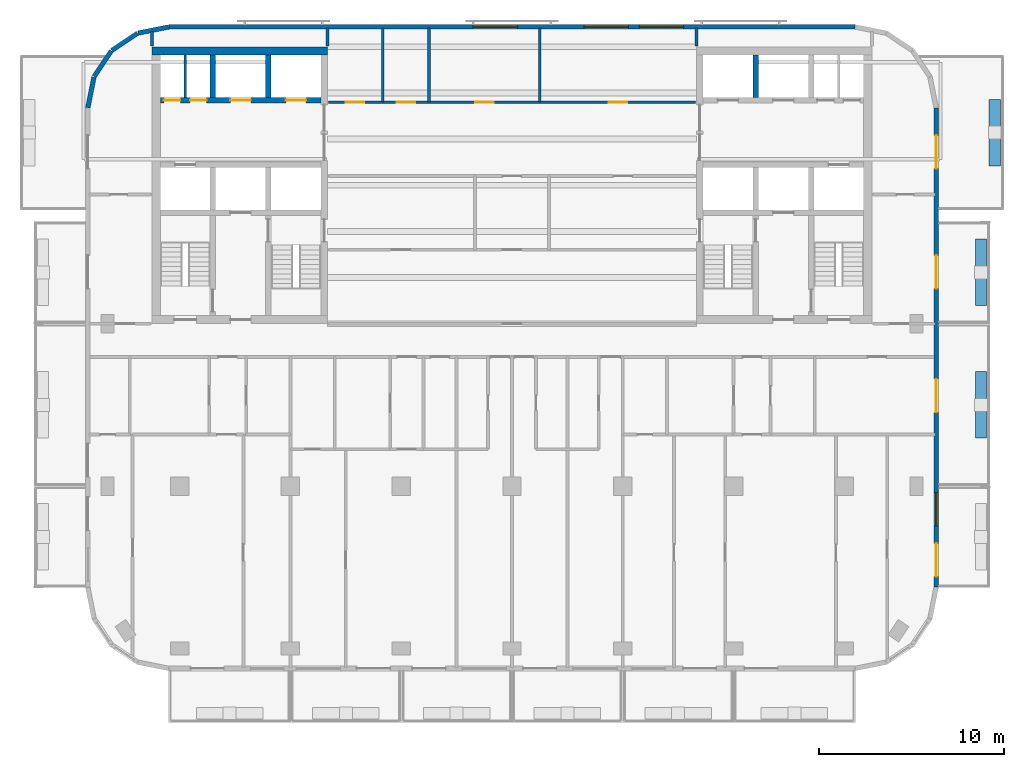
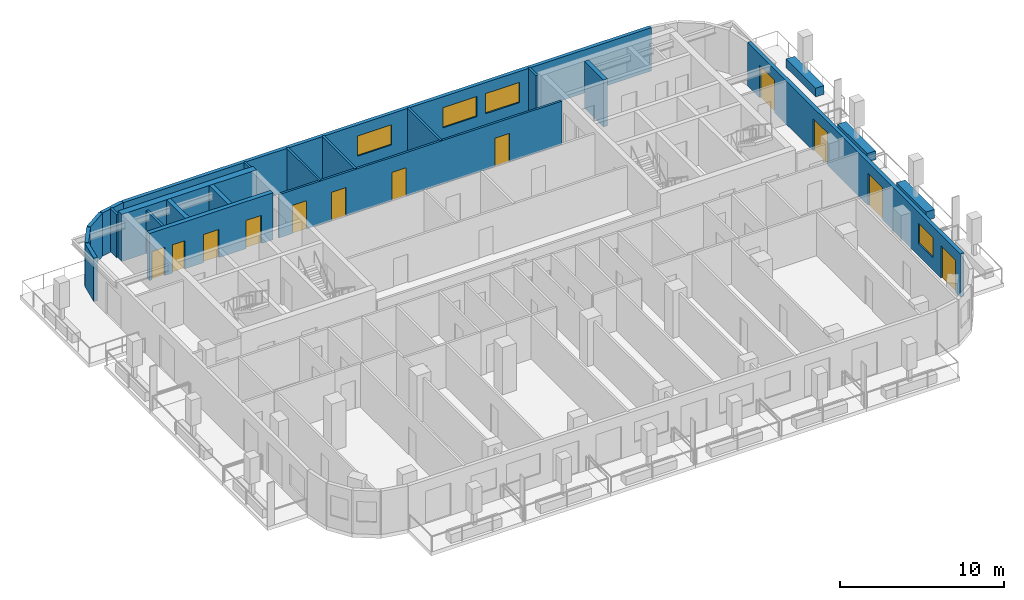
# One storey, part 6 of 11: 22 walls, 12 doors, 4 windows, 16 openings.
"""IFC4 building model written with IfcOpenShell, lengths in metres."""

import ifcopenshell
import ifcopenshell.guid

model = None  # the IFC model being written
_history = None  # IfcOwnerHistory: only IFC2X3 demands one
_inside = {}  # id of a spatial element -> (the spatial element, [elements in it])
_under = {}  # id of a project, library or spatial element -> (it, [spatial elements below it])
_declared = {}  # id of a project -> (the project, [libraries it declares])
_typed = {}  # id of a type object -> (the type object, [elements of that type])
_made_of = {}  # id of a material, layer set ... -> (it, [elements and type objects made of it])


def new_model(schema):
    """Start an empty IFC model of exactly this schema.

    Asked for "IFC4X3", IfcOpenShell would pick the latest addendum, in which some entities
    have other attributes; the version numbers below select the first issue.
    IFC2X3 requires an IfcOwnerHistory on every rooted entity: one is made here for all.
    """
    global model, _history
    if schema == "IFC4X3":
        model = ifcopenshell.file(schema_version=(4, 3, 0, 0))
    else:
        model = ifcopenshell.file(schema=schema)
    _inside.clear()
    _under.clear()
    _declared.clear()
    _typed.clear()
    _made_of.clear()
    _history = None
    if model.schema == "IFC2X3":
        org = make("IfcOrganization", Name="unknown")
        user = make(
            "IfcPersonAndOrganization",
            ThePerson=make("IfcPerson", FamilyName="unknown"),
            TheOrganization=org,
        )
        app = make(
            "IfcApplication",
            ApplicationDeveloper=org,
            Version="unknown",
            ApplicationFullName="unknown",
            ApplicationIdentifier="unknown",
        )
        _history = make(
            "IfcOwnerHistory",
            OwningUser=user,
            OwningApplication=app,
            ChangeAction="ADDED",
            CreationDate=0,
        )
    return model


def make(cls, **values):
    """One entity of the class cls with the attributes given. An attribute that is None is left unset."""
    return model.create_entity(
        cls, **{name: value for name, value in values.items() if value is not None}
    )


def rooted(cls, **values):
    """An entity with a GlobalId (a new one), such as an element, a storey or a relation."""
    return make(cls, GlobalId=ifcopenshell.guid.new(), OwnerHistory=_history, **values)


def si_unit(unit_type, name, prefix=None):
    """IfcSIUnit, for example si_unit("LENGTHUNIT", "METRE", prefix="MILLI")."""
    return make("IfcSIUnit", UnitType=unit_type, Prefix=prefix, Name=name)


def assignment(units):
    """IfcUnitAssignment: the units of a project."""
    return None if units is None else make("IfcUnitAssignment", Units=units)


def point(xyz):
    """IfcCartesianPoint."""
    return None if xyz is None else make("IfcCartesianPoint", Coordinates=xyz)


def direction(xyz):
    """IfcDirection."""
    return None if xyz is None else make("IfcDirection", DirectionRatios=xyz)


def frame(location, z_axis=None, x_axis=None):
    """IfcAxis2Placement3D, a coordinate frame: its origin and axes. An axis left out is left unset."""
    return make(
        "IfcAxis2Placement3D",
        Location=point(location),
        Axis=direction(z_axis),
        RefDirection=direction(x_axis),
    )


def frame_2d(location, x_axis=None):
    """IfcAxis2Placement2D, a coordinate frame in the plane: its origin and x axis."""
    return make(
        "IfcAxis2Placement2D", Location=point(location), RefDirection=direction(x_axis)
    )


def origin():
    """The frame at (0, 0, 0) with its axes left unset."""
    return frame((0.0, 0.0, 0.0))


def place(relative_to, where):
    """IfcLocalPlacement: puts the frame where relative to a parent placement (None: the world)."""
    return make(
        "IfcLocalPlacement", PlacementRelTo=relative_to, RelativePlacement=where
    )


def context(
    kind, dimensions, precision=None, world=None, true_north=None, identifier=None
):
    """IfcGeometricRepresentationContext, for example the 3D "Model" context."""
    return make(
        "IfcGeometricRepresentationContext",
        ContextIdentifier=identifier,
        ContextType=kind,
        CoordinateSpaceDimension=dimensions,
        Precision=precision,
        WorldCoordinateSystem=world,
        TrueNorth=true_north,
    )


def subcontext(parent, identifier, kind, view, scale=None):
    """IfcGeometricRepresentationSubContext, for example "Body" below "Model"."""
    return make(
        "IfcGeometricRepresentationSubContext",
        ContextIdentifier=identifier,
        ContextType=kind,
        ParentContext=parent,
        TargetScale=scale,
        TargetView=view,
    )


def project(units=None, contexts=None):
    """IfcProject with its units and contexts."""
    return rooted(
        "IfcProject",
        Name="project",
        RepresentationContexts=contexts,
        UnitsInContext=assignment(units),
    )


def spatial(cls, under=None, at=None, **own):
    """A site, building, storey or space (cls), placed at a placement, below another one or the project."""
    s = rooted(cls, ObjectPlacement=at, **own)
    if under is not None:
        _under.setdefault(under.id(), (under, []))[1].append(s)
    return s


def profile(cls, at=None, kind="AREA", **sizes):
    """A parametric profile (cls). Its sizes go by their IFC names, for example OverallWidth=200.0."""
    return make(cls, ProfileType=kind, Position=at, **sizes)


def rectangle(**sizes):
    """IfcRectangleProfileDef."""
    return profile("IfcRectangleProfileDef", **sizes)


def extrude(swept, where, along, depth):
    """IfcExtrudedAreaSolid: the profile swept, set in the frame where, extruded along a direction by depth."""
    return make(
        "IfcExtrudedAreaSolid",
        SweptArea=swept,
        Position=where,
        ExtrudedDirection=direction(along),
        Depth=depth,
    )


def shape(context_of_items, identifier, shape_type, items):
    """IfcShapeRepresentation: the items that make up one representation, for example the "Body"."""
    return make(
        "IfcShapeRepresentation",
        ContextOfItems=context_of_items,
        RepresentationIdentifier=identifier,
        RepresentationType=shape_type,
        Items=items,
    )


def material(Name=None, Category=None):
    """IfcMaterial."""
    return make("IfcMaterial", Name=Name, Category=Category)


def layer(
    of_material, thickness, ventilated=None, Name=None, Category=None, Priority=None
):
    """IfcMaterialLayer: one layer of a wall or slab, of a material (None: an air gap)."""
    return make(
        "IfcMaterialLayer",
        Material=of_material,
        LayerThickness=thickness,
        IsVentilated=ventilated,
        Name=Name,
        Category=Category,
        Priority=Priority,
    )


def layer_set(layers, Name=None):
    """IfcMaterialLayerSet."""
    return make("IfcMaterialLayerSet", MaterialLayers=layers, LayerSetName=Name)


def made_of(thing, what):
    """Note that an element or type object is made of a material, layer set ...; save() writes the relation."""
    if what is not None:
        _made_of.setdefault(what.id(), (what, []))[1].append(thing)
    return thing


def type_object(cls, material=None, **own):
    """A type object (cls), such as IfcWallType, which elements share."""
    return made_of(rooted(cls, **own), material)


def element(
    cls,
    number,
    at=None,
    inside=None,
    cuts=None,
    type_object=None,
    material=None,
    context=None,
    identifier="Body",
    shape_type=None,
    held_by="IfcProductDefinitionShape",
    body=None,
    shapes=None,
    **own,
):
    """One element of the class cls, such as IfcWall. Its Tag is "e" and its number.

    at: its placement. inside: the storey or other place that contains it. cuts: it is an
    opening in that element (IfcRelVoidsElement). A single representation is given by context,
    identifier, shape_type and body (its items); several are given by shapes. held_by: the class
    of the entity that holds the representations. save() writes the other relations.
    """
    e = rooted(cls, Tag="e%d" % number, ObjectPlacement=at, **own)
    if body is not None:
        shapes = [shape(context, identifier, shape_type, body)]
    if shapes is not None:
        e.Representation = make(held_by, Representations=shapes)
    if inside is not None:
        _inside.setdefault(inside.id(), (inside, []))[1].append(e)
    if cuts is not None:
        rooted(
            "IfcRelVoidsElement", RelatingBuildingElement=cuts, RelatedOpeningElement=e
        )
    if type_object is not None:
        _typed.setdefault(type_object.id(), (type_object, []))[1].append(e)
    return made_of(e, material)


def fill(opening, filler):
    """IfcRelFillsElement: the door or window that sits in an opening."""
    return rooted(
        "IfcRelFillsElement",
        RelatingOpeningElement=opening,
        RelatedBuildingElement=filler,
    )


def aggregate(whole, parts):
    """IfcRelAggregates: a whole, such as a stair, and the parts it consists of."""
    return rooted("IfcRelAggregates", RelatingObject=whole, RelatedObjects=parts)


def save(model, path):
    """Write the relations noted so far, then the file.

    IfcRelAggregates (storeys below a building ...), IfcRelContainedInSpatialStructure (elements
    in a storey), IfcRelDefinesByType, IfcRelAssociatesMaterial and IfcRelDeclares: one each for
    every whole, place, type object, material and project.
    """
    for whole, parts in _under.values():
        aggregate(whole, parts)
    for where, things in _inside.values():
        rooted(
            "IfcRelContainedInSpatialStructure",
            RelatedElements=things,
            RelatingStructure=where,
        )
    for kind, things in _typed.values():
        rooted("IfcRelDefinesByType", RelatedObjects=things, RelatingType=kind)
    for what, things in _made_of.values():
        rooted("IfcRelAssociatesMaterial", RelatedObjects=things, RelatingMaterial=what)
    for by, libraries in _declared.values():
        rooted("IfcRelDeclares", RelatingContext=by, RelatedDefinitions=libraries)
    model.write(path)


model = new_model("IFC4")

# Units and contexts
model_context = context("Model", 3, precision=1e-05, world=origin(), true_north=direction((0.0, 1.0)))
body_context = subcontext(model_context, "Body", "Model", "MODEL_VIEW")
ifc_project = project(units=[si_unit("LENGTHUNIT", "METRE"), si_unit("AREAUNIT", "SQUARE_METRE"), si_unit("VOLUMEUNIT", "CUBIC_METRE"), si_unit("PLANEANGLEUNIT", "RADIAN"), si_unit("MASSUNIT", "GRAM", prefix="KILO")], contexts=[model_context])

# Site, building, storey
site_placement = place(None, origin())
site = spatial("IfcSite", under=ifc_project, at=site_placement, CompositionType="ELEMENT")
building_placement = place(site_placement, origin())
building = spatial("IfcBuilding", under=site, at=building_placement, Name="Torana Hotel and Residences", CompositionType="ELEMENT")
storey_placement = place(building_placement, frame((0.0, 0.0, 291.10009765625)))
storey = spatial("IfcBuildingStorey", under=building, at=storey_placement, Name="L77", CompositionType="ELEMENT", Elevation=291.10009765625)

# Wall, openings, doors
ifc_material_1 = material(Name="Concrete C60/75", Category="concrete")
ifc_layer_1 = layer(ifc_material_1, 0.300048828125)
ifc_layer_set_1 = layer_set([ifc_layer_1], Name="CORE WALL 300 C60/75")
wall_type_1 = type_object("IfcWallType", Name="CORE WALL 300 C60/75", PredefinedType="SHEAR", material=ifc_layer_set_1)
wall_1_placement = place(storey_placement, frame((-19.050048828125, -2.89990234375, 0.0), z_axis=(0.0, 0.0, 1.0), x_axis=(1.0, 0.0, 0.0)))
wall_1 = element("IfcWall", 1, at=wall_1_placement, inside=storey, type_object=wall_type_1, Name="Core wall W row-N", PredefinedType="SHEAR", context=body_context, shape_type="SweptSolid", body=[
    extrude(rectangle(XDim=8.699951171875, YDim=0.300048828125, at=frame_2d((4.35009765625, 0.0))), origin(), (0.0, 0.0, 1.0), 3.5),
])
opening_1_placement = place(wall_1_placement, frame((6.800048828125, 0.0, 0.0)))
opening_1 = element("IfcOpeningElement", 2, at=opening_1_placement, cuts=wall_1, Name="Opening LD", PredefinedType="OPENING", context=body_context, shape_type="SweptSolid", body=[
    extrude(rectangle(XDim=1.10009765625, YDim=2.10009765625, at=frame_2d((0.550048828125, 1.050048828125))), frame((0.0, 0.159912109375, 0.0), z_axis=(0.0, -1.0, 0.0), x_axis=(1.0, 0.0, 0.0)), (0.0, 0.0, 1.0), 0.320068359375),
])
opening_2_placement = place(wall_1_placement, frame((3.800048828125, 0.0, 0.0)))
opening_2 = element("IfcOpeningElement", 3, at=opening_2_placement, cuts=wall_1, Name="Opening LD", PredefinedType="OPENING", context=body_context, shape_type="SweptSolid", body=[
    extrude(rectangle(XDim=1.10009765625, YDim=2.10009765625, at=frame_2d((0.550048828125, 1.050048828125))), frame((0.0, 0.159912109375, 0.0), z_axis=(0.0, -1.0, 0.0), x_axis=(1.0, 0.0, 0.0)), (0.0, 0.0, 1.0), 0.320068359375),
])
opening_3_placement = place(wall_1_placement, frame((1.612548828125, 0.0, 0.0)))
opening_3 = element("IfcOpeningElement", 4, at=opening_3_placement, cuts=wall_1, Name="Opening L77-06", PredefinedType="OPENING", context=body_context, shape_type="SweptSolid", body=[
    extrude(rectangle(XDim=0.89990234375, YDim=2.10009765625, at=frame_2d((0.449951171875, 1.050048828125))), frame((0.0, 0.159912109375, 0.0), z_axis=(0.0, -1.0, 0.0), x_axis=(1.0, 0.0, 0.0)), (0.0, 0.0, 1.0), 0.320068359375),
])
opening_4_placement = place(wall_1_placement, frame((0.1875, 0.0, 0.0)))
opening_4 = element("IfcOpeningElement", 5, at=opening_4_placement, cuts=wall_1, Name="Opening L77-07", PredefinedType="OPENING", context=body_context, shape_type="SweptSolid", body=[
    extrude(rectangle(XDim=0.89990234375, YDim=2.10009765625, at=frame_2d((0.449951171875, 1.050048828125))), frame((0.0, 0.159912109375, 0.0), z_axis=(0.0, -1.0, 0.0), x_axis=(1.0, 0.0, 0.0)), (0.0, 0.0, 1.0), 0.320068359375),
])
ifc_material_2 = material(Name="Stainless steel 316", Category="steel")
door_type_1 = type_object("IfcDoorType", Name="LIFT LANDING DOOR LD 1100x2100", OperationType="DOUBLE_DOOR_SLIDING", PredefinedType="USERDEFINED", material=ifc_material_2)
door_1_placement = place(opening_1_placement, origin())
door_1 = element("IfcDoor", 6, at=door_1_placement, inside=storey, type_object=door_type_1, Name="Lift landing door H1 L77", ObjectType="LIFT LANDING DOOR", OperationType="DOUBLE_DOOR_SLIDING", OverallHeight=2.10009765625, OverallWidth=1.10009765625, PredefinedType="USERDEFINED", context=body_context, shape_type="SweptSolid", body=[
    extrude(rectangle(XDim=1.10009765625, YDim=2.10009765625, at=frame_2d((0.550048828125, 1.050048828125))), frame((0.0, 0.02490234375, 0.0), z_axis=(0.0, -1.0, 0.0), x_axis=(1.0, 0.0, 0.0)), (0.0, 0.0, 1.0), 0.050048828125),
])
fill(opening_1, door_1)
door_2_placement = place(opening_2_placement, origin())
door_2 = element("IfcDoor", 7, at=door_2_placement, inside=storey, type_object=door_type_1, Name="Lift landing door H2 L77", ObjectType="LIFT LANDING DOOR", OperationType="DOUBLE_DOOR_SLIDING", OverallHeight=2.10009765625, OverallWidth=1.10009765625, PredefinedType="USERDEFINED", context=body_context, shape_type="SweptSolid", body=[
    extrude(rectangle(XDim=1.10009765625, YDim=2.10009765625, at=frame_2d((0.550048828125, 1.050048828125))), frame((0.0, 0.02490234375, 0.0), z_axis=(0.0, -1.0, 0.0), x_axis=(1.0, 0.0, 0.0)), (0.0, 0.0, 1.0), 0.050048828125),
])
fill(opening_2, door_2)
ifc_material_3 = material(Name="Steel S235", Category="steel")
door_type_2 = type_object("IfcDoorType", Name="RISER ACCESS DOOR D5 900x2100", OperationType="SINGLE_SWING_LEFT", PredefinedType="DOOR", material=ifc_material_3)
door_3_placement = place(opening_3_placement, origin())
door_3 = element("IfcDoor", 8, at=door_3_placement, inside=storey, type_object=door_type_2, Name="N2A door L77", OperationType="SINGLE_SWING_RIGHT", OverallHeight=2.10009765625, OverallWidth=0.89990234375, PredefinedType="DOOR", context=body_context, shape_type="SweptSolid", body=[
    extrude(rectangle(XDim=0.89990234375, YDim=2.10009765625, at=frame_2d((0.449951171875, 1.050048828125))), frame((0.0, 0.02490234375, 0.0), z_axis=(0.0, -1.0, 0.0), x_axis=(1.0, 0.0, 0.0)), (0.0, 0.0, 1.0), 0.050048828125),
])
fill(opening_3, door_3)
door_4_placement = place(opening_4_placement, origin())
door_4 = element("IfcDoor", 9, at=door_4_placement, inside=storey, type_object=door_type_2, Name="N2B door L77", OperationType="SINGLE_SWING_RIGHT", OverallHeight=2.10009765625, OverallWidth=0.89990234375, PredefinedType="DOOR", context=body_context, shape_type="SweptSolid", body=[
    extrude(rectangle(XDim=0.89990234375, YDim=2.10009765625, at=frame_2d((0.449951171875, 1.050048828125))), frame((0.0, 0.02490234375, 0.0), z_axis=(0.0, -1.0, 0.0), x_axis=(1.0, 0.0, 0.0)), (0.0, 0.0, 1.0), 0.050048828125),
])
fill(opening_4, door_4)

# Walls
for number, where, z_axis, x_axis, name in (
    (10, (-13.199951171875, -2.75, 0.0), (0.0, 0.0, 1.0), (0.0, 1.0, 0.0), "Core wall W x3.05-N"),
    (11, (-16.199951171875, -2.75, 0.0), (0.0, 0.0, 1.0), (0.0, 1.0, 0.0), "Core wall W x6.05-N"),
    (12, (13.199951171875, -2.75, 0.0), (0.0, 0.0, 1.0), (0.0, 1.0, 0.0), "Core wall E x3.05-N"),
):
    element("IfcWall", number, at=place(storey_placement, frame(where, z_axis=z_axis, x_axis=x_axis)), inside=storey, type_object=wall_type_1, Name=name, PredefinedType="SHEAR", context=body_context, shape_type="SweptSolid", body=[
        extrude(rectangle(XDim=2.300048828125, YDim=0.300048828125, at=frame_2d((1.14990234375, 0.0))), origin(), (0.0, 0.0, 1.0), 3.5),
    ])
ifc_material_4 = material(Name="Concrete C60/75", Category="concrete")
ifc_layer_2 = layer(ifc_material_4, 0.449951171875)
ifc_layer_set_2 = layer_set([ifc_layer_2], Name="CORE WALL 450 C60/75")
wall_type_2 = type_object("IfcWallType", Name="CORE WALL 450 C60/75", PredefinedType="SHEAR", material=ifc_layer_set_2)
wall_2_placement = place(storey_placement, frame((-19.5, -0.22509765625, 0.0), z_axis=(0.0, 0.0, 1.0), x_axis=(1.0, 0.0, 0.0)))
element("IfcWall", 13, at=wall_2_placement, inside=storey, type_object=wall_type_2, Name="Core wall W rear", PredefinedType="SHEAR", context=body_context, shape_type="SweptSolid", body=[
    extrude(rectangle(XDim=9.5, YDim=0.449951171875, at=frame_2d((4.75, 0.0))), origin(), (0.0, 0.0, 1.0), 3.5),
])
ifc_material_5 = material(Name="Black aluminium composite panel", Category="aluminium")
ifc_layer_3 = layer(ifc_material_5, 0.00390625, Name="Cladding", Category="cladding")
ifc_material_6 = material(Name="Ventilated air cavity")
ifc_layer_4 = layer(ifc_material_6, 0.0400390625, Name="Ventilated cavity", Category="cavity")
ifc_material_7 = material(Name="Mineral wool insulation")
ifc_layer_5 = layer(ifc_material_7, 0.090087890625, Name="Insulation", Category="insulation")
ifc_material_8 = material(Name="Steel S280GD", Category="steel")
ifc_layer_6 = layer(ifc_material_8, 0.092041015625, Name="Steel stud frame", Category="structure")
ifc_material_9 = material(Name="Fire rated plasterboard")
ifc_layer_7 = layer(ifc_material_9, 0.011962890625, Name="Inner board", Category="finish")
ifc_layer_8 = layer(ifc_material_9, 0.011962890625, Name="Second board", Category="finish")
ifc_layer_set_3 = layer_set([ifc_layer_3, ifc_layer_4, ifc_layer_5, ifc_layer_6, ifc_layer_7, ifc_layer_8], Name="EW1 EXTERNAL WALL BLACK METAL CLAD 250")
wall_type_3 = type_object("IfcWallType", Name="EW1 EXTERNAL WALL BLACK METAL CLAD 250", PredefinedType="SOLIDWALL", material=ifc_layer_set_3)
wall_3_placement = place(storey_placement, frame((-18.599853515625, 1.072509765625, 0.0), z_axis=(0.0, 0.0, 1.0), x_axis=(-0.980797896849, -0.195026884138, 0.0)))
element("IfcWall", 14, at=wall_3_placement, inside=storey, type_object=wall_type_3, Name="External wall L77 e0.5", PredefinedType="SOLIDWALL", context=body_context, shape_type="SweptSolid", body=[
    extrude(rectangle(XDim=1.68115234375, YDim=0.25, at=frame_2d((0.840576171875, 0.0))), origin(), (0.0, 0.0, 1.0), 3.219970703125),
])
for number, where, z_axis, x_axis, name in (
    (15, (-20.2939453125, 0.725830078125, 0.0), (0.0, 0.0, 1.0), (-0.831482937015, -0.55555029066, 0.0), "External wall L77 e0.6"),
    (16, (-21.705810546875, -0.228759765625, 0.0), (0.0, 0.0, 1.0), (-0.55555029066, -0.831482937015, 0.0), "External wall L77 e0.7"),
):
    element("IfcWall", number, at=place(storey_placement, frame(where, z_axis=z_axis, x_axis=x_axis)), inside=storey, type_object=wall_type_3, Name=name, PredefinedType="SOLIDWALL", context=body_context, shape_type="SweptSolid", body=[
        extrude(rectangle(XDim=1.65625, YDim=0.25, at=frame_2d((0.828125, 0.0))), origin(), (0.0, 0.0, 1.0), 3.219970703125),
    ])
wall_4_placement = place(storey_placement, frame((-22.64453125, -1.651123046875, 0.0), z_axis=(0.0, 0.0, 1.0), x_axis=(-0.19513878023, -0.980775640221, 0.0)))
element("IfcWall", 17, at=wall_4_placement, inside=storey, type_object=wall_type_3, Name="External wall L77 e0.8", PredefinedType="SOLIDWALL", context=body_context, shape_type="SweptSolid", body=[
    extrude(rectangle(XDim=1.681396484375, YDim=0.25, at=frame_2d((0.8408203125, 0.0))), origin(), (0.0, 0.0, 1.0), 3.219970703125),
])

# Wall, openings, doors, window
wall_5_placement = place(storey_placement, frame((22.97509765625, -29.275390625, 0.0), z_axis=(0.0, 0.0, 1.0), x_axis=(0.0, 1.0, 0.0)))
wall_5 = element("IfcWall", 18, at=wall_5_placement, inside=storey, type_object=wall_type_3, Name="External wall L77 e0.19", PredefinedType="SOLIDWALL", context=body_context, shape_type="SweptSolid", body=[
    extrude(rectangle(XDim=25.95068359375, YDim=0.25, at=frame_2d((12.975341796875, 0.0))), origin(), (0.0, 0.0, 1.0), 3.219970703125),
])
opening_5_placement = place(wall_5_placement, frame((0.575439453125, 0.0, 0.0)))
opening_5 = element("IfcOpeningElement", 19, at=opening_5_placement, cuts=wall_5, Name="Opening L77-E07", PredefinedType="OPENING", context=body_context, shape_type="SweptSolid", body=[
    extrude(rectangle(XDim=1.800048828125, YDim=2.39990234375, at=frame_2d((0.89990234375, 1.199951171875))), frame((0.0, 0.135009765625, 0.0), z_axis=(0.0, -1.0, 0.0), x_axis=(1.0, 0.0, 0.0)), (0.0, 0.0, 1.0), 0.27001953125),
])
opening_6_placement = place(wall_5_placement, frame((3.325439453125, 0.0, 0.89990234375)))
opening_6 = element("IfcOpeningElement", 20, at=opening_6_placement, cuts=wall_5, Name="Opening W4", PredefinedType="OPENING", context=body_context, shape_type="SweptSolid", body=[
    extrude(rectangle(XDim=1.800048828125, YDim=1.5, at=frame_2d((0.89990234375, 0.75))), frame((0.0, 0.135009765625, 0.0), z_axis=(0.0, -1.0, 0.0), x_axis=(1.0, 0.0, 0.0)), (0.0, 0.0, 1.0), 0.27001953125),
])
opening_7_placement = place(wall_5_placement, frame((9.475341796875, 0.0, 0.0)))
opening_7 = element("IfcOpeningElement", 21, at=opening_7_placement, cuts=wall_5, Name="Opening L77-E08", PredefinedType="OPENING", context=body_context, shape_type="SweptSolid", body=[
    extrude(rectangle(XDim=1.800048828125, YDim=2.39990234375, at=frame_2d((0.89990234375, 1.199951171875))), frame((0.0, 0.135009765625, 0.0), z_axis=(0.0, -1.0, 0.0), x_axis=(1.0, 0.0, 0.0)), (0.0, 0.0, 1.0), 0.27001953125),
])
opening_8_placement = place(wall_5_placement, frame((16.17529296875, 0.0, 0.0)))
opening_8 = element("IfcOpeningElement", 22, at=opening_8_placement, cuts=wall_5, Name="Opening L77-E09", PredefinedType="OPENING", context=body_context, shape_type="SweptSolid", body=[
    extrude(rectangle(XDim=1.800048828125, YDim=2.39990234375, at=frame_2d((0.89990234375, 1.199951171875))), frame((0.0, 0.135009765625, 0.0), z_axis=(0.0, -1.0, 0.0), x_axis=(1.0, 0.0, 0.0)), (0.0, 0.0, 1.0), 0.27001953125),
])
opening_9_placement = place(wall_5_placement, frame((22.67529296875, 0.0, 0.0)))
opening_9 = element("IfcOpeningElement", 23, at=opening_9_placement, cuts=wall_5, Name="Opening L77-E10", PredefinedType="OPENING", context=body_context, shape_type="SweptSolid", body=[
    extrude(rectangle(XDim=1.800048828125, YDim=2.39990234375, at=frame_2d((0.89990234375, 1.199951171875))), frame((0.0, 0.135009765625, 0.0), z_axis=(0.0, -1.0, 0.0), x_axis=(1.0, 0.0, 0.0)), (0.0, 0.0, 1.0), 0.27001953125),
])
ifc_material_10 = material(Name="Dark glass in black aluminium frame", Category="aluminium")
door_type_3 = type_object("IfcDoorType", Name="DB1 BALCONY DOOR 1800x2400", OperationType="DOUBLE_DOOR_SINGLE_SWING", PredefinedType="DOOR", material=ifc_material_10)
door_5_placement = place(opening_5_placement, origin())
door_5 = element("IfcDoor", 24, at=door_5_placement, inside=storey, type_object=door_type_3, Name="Balcony door L77", OperationType="DOUBLE_DOOR_SINGLE_SWING", OverallHeight=2.39990234375, OverallWidth=1.800048828125, PredefinedType="DOOR", context=body_context, shape_type="SweptSolid", body=[
    extrude(rectangle(XDim=1.800048828125, YDim=2.39990234375, at=frame_2d((0.89990234375, 1.199951171875))), frame((0.0, 0.02490234375, 0.0), z_axis=(0.0, -1.0, 0.0), x_axis=(1.0, 0.0, 0.0)), (0.0, 0.0, 1.0), 0.050048828125),
])
fill(opening_5, door_5)
door_6_placement = place(opening_7_placement, origin())
door_6 = element("IfcDoor", 25, at=door_6_placement, inside=storey, type_object=door_type_3, Name="Balcony door L77", OperationType="DOUBLE_DOOR_SINGLE_SWING", OverallHeight=2.39990234375, OverallWidth=1.800048828125, PredefinedType="DOOR", context=body_context, shape_type="SweptSolid", body=[
    extrude(rectangle(XDim=1.800048828125, YDim=2.39990234375, at=frame_2d((0.89990234375, 1.199951171875))), frame((0.0, 0.02490234375, 0.0), z_axis=(0.0, -1.0, 0.0), x_axis=(1.0, 0.0, 0.0)), (0.0, 0.0, 1.0), 0.050048828125),
])
fill(opening_7, door_6)
door_7_placement = place(opening_8_placement, origin())
door_7 = element("IfcDoor", 26, at=door_7_placement, inside=storey, type_object=door_type_3, Name="Balcony door L77", OperationType="DOUBLE_DOOR_SINGLE_SWING", OverallHeight=2.39990234375, OverallWidth=1.800048828125, PredefinedType="DOOR", context=body_context, shape_type="SweptSolid", body=[
    extrude(rectangle(XDim=1.800048828125, YDim=2.39990234375, at=frame_2d((0.89990234375, 1.199951171875))), frame((0.0, 0.02490234375, 0.0), z_axis=(0.0, -1.0, 0.0), x_axis=(1.0, 0.0, 0.0)), (0.0, 0.0, 1.0), 0.050048828125),
])
fill(opening_8, door_7)
door_8_placement = place(opening_9_placement, origin())
door_8 = element("IfcDoor", 27, at=door_8_placement, inside=storey, type_object=door_type_3, Name="Balcony door L77", OperationType="DOUBLE_DOOR_SINGLE_SWING", OverallHeight=2.39990234375, OverallWidth=1.800048828125, PredefinedType="DOOR", context=body_context, shape_type="SweptSolid", body=[
    extrude(rectangle(XDim=1.800048828125, YDim=2.39990234375, at=frame_2d((0.89990234375, 1.199951171875))), frame((0.0, 0.02490234375, 0.0), z_axis=(0.0, -1.0, 0.0), x_axis=(1.0, 0.0, 0.0)), (0.0, 0.0, 1.0), 0.050048828125),
])
fill(opening_9, door_8)
ifc_material_11 = material(Name="Dark glass in black aluminium frame", Category="aluminium")
window_type_1 = type_object("IfcWindowType", Name="W4 RESIDENCE WINDOW NARROW 1800x1500", PartitioningType="SINGLE_PANEL", PredefinedType="WINDOW", material=ifc_material_11)
window_1_placement = place(opening_6_placement, origin())
window_1 = element("IfcWindow", 28, at=window_1_placement, inside=storey, type_object=window_type_1, Name="Window L77", OverallHeight=1.5, OverallWidth=1.800048828125, PartitioningType="SINGLE_PANEL", PredefinedType="WINDOW", context=body_context, shape_type="SweptSolid", body=[
    extrude(rectangle(XDim=1.800048828125, YDim=1.5, at=frame_2d((0.89990234375, 0.75))), frame((0.0, 0.030029296875, 0.0), z_axis=(0.0, -1.0, 0.0), x_axis=(1.0, 0.0, 0.0)), (0.0, 0.0, 1.0), 0.06005859375),
])
fill(opening_6, window_1)

# Wall, openings, windows
ifc_material_12 = material(Name="Concrete C40/50 precast", Category="concrete")
ifc_layer_9 = layer(ifc_material_12, 0.10009765625, Name="Perforated block", Category="cladding")
ifc_material_13 = material(Name="Air cavity")
ifc_layer_10 = layer(ifc_material_13, 0.030029296875, Name="Cavity", Category="cavity")
ifc_material_14 = material(Name="Concrete C40/50", Category="concrete")
ifc_layer_11 = layer(ifc_material_14, 0.10009765625, Name="Wall", Category="structure")
ifc_material_15 = material(Name="Plaster and paint")
ifc_layer_12 = layer(ifc_material_15, 0.02001953125, Name="Inner finish", Category="finish")
ifc_layer_set_4 = layer_set([ifc_layer_9, ifc_layer_10, ifc_layer_11, ifc_layer_12], Name="EW2 PERFORATED BLOCK SCREEN WALL 250")
wall_type_4 = type_object("IfcWallType", Name="EW2 PERFORATED BLOCK SCREEN WALL 250", PredefinedType="SOLIDWALL", material=ifc_layer_set_4)
wall_6_placement = place(storey_placement, frame((18.575439453125, 1.074951171875, 0.0), z_axis=(0.0, 0.0, 1.0), x_axis=(-1.0, 0.0, 0.0)))
wall_6 = element("IfcWall", 29, at=wall_6_placement, inside=storey, type_object=wall_type_4, Name="External wall L77 e0.4", PredefinedType="SOLIDWALL", context=body_context, shape_type="SweptSolid", body=[
    extrude(rectangle(XDim=37.15087890625, YDim=0.25, at=frame_2d((18.575439453125, 0.0))), origin(), (0.0, 0.0, 1.0), 3.219970703125),
])
opening_10_placement = place(wall_6_placement, frame((9.275390625, 0.0, 0.89990234375)))
opening_10 = element("IfcOpeningElement", 30, at=opening_10_placement, cuts=wall_6, Name="Opening W3", PredefinedType="OPENING", context=body_context, shape_type="SweptSolid", body=[
    extrude(rectangle(XDim=2.39990234375, YDim=1.5, at=frame_2d((1.199951171875, 0.75))), frame((0.0, 0.135009765625, 0.0), z_axis=(0.0, -1.0, 0.0), x_axis=(1.0, 0.0, 0.0)), (0.0, 0.0, 1.0), 0.27001953125),
])
opening_11_placement = place(wall_6_placement, frame((12.275390625, 0.0, 0.89990234375)))
opening_11 = element("IfcOpeningElement", 31, at=opening_11_placement, cuts=wall_6, Name="Opening W3", PredefinedType="OPENING", context=body_context, shape_type="SweptSolid", body=[
    extrude(rectangle(XDim=2.39990234375, YDim=1.5, at=frame_2d((1.199951171875, 0.75))), frame((0.0, 0.135009765625, 0.0), z_axis=(0.0, -1.0, 0.0), x_axis=(1.0, 0.0, 0.0)), (0.0, 0.0, 1.0), 0.27001953125),
])
opening_12_placement = place(wall_6_placement, frame((18.275390625, 0.0, 0.89990234375)))
opening_12 = element("IfcOpeningElement", 32, at=opening_12_placement, cuts=wall_6, Name="Opening W3", PredefinedType="OPENING", context=body_context, shape_type="SweptSolid", body=[
    extrude(rectangle(XDim=2.39990234375, YDim=1.5, at=frame_2d((1.199951171875, 0.75))), frame((0.0, 0.135009765625, 0.0), z_axis=(0.0, -1.0, 0.0), x_axis=(1.0, 0.0, 0.0)), (0.0, 0.0, 1.0), 0.27001953125),
])
ifc_material_16 = material(Name="Dark glass in black aluminium frame", Category="aluminium")
window_type_2 = type_object("IfcWindowType", Name="W3 RESIDENCE WINDOW 2400x1500", PartitioningType="SINGLE_PANEL", PredefinedType="WINDOW", material=ifc_material_16)
window_2_placement = place(opening_10_placement, origin())
window_2 = element("IfcWindow", 33, at=window_2_placement, inside=storey, type_object=window_type_2, Name="Window L77", OverallHeight=1.5, OverallWidth=2.39990234375, PartitioningType="SINGLE_PANEL", PredefinedType="WINDOW", context=body_context, shape_type="SweptSolid", body=[
    extrude(rectangle(XDim=2.39990234375, YDim=1.5, at=frame_2d((1.199951171875, 0.75))), frame((0.0, 0.030029296875, 0.0), z_axis=(0.0, -1.0, 0.0), x_axis=(1.0, 0.0, 0.0)), (0.0, 0.0, 1.0), 0.06005859375),
])
fill(opening_10, window_2)
window_3_placement = place(opening_11_placement, origin())
window_3 = element("IfcWindow", 34, at=window_3_placement, inside=storey, type_object=window_type_2, Name="Window L77", OverallHeight=1.5, OverallWidth=2.39990234375, PartitioningType="SINGLE_PANEL", PredefinedType="WINDOW", context=body_context, shape_type="SweptSolid", body=[
    extrude(rectangle(XDim=2.39990234375, YDim=1.5, at=frame_2d((1.199951171875, 0.75))), frame((0.0, 0.030029296875, 0.0), z_axis=(0.0, -1.0, 0.0), x_axis=(1.0, 0.0, 0.0)), (0.0, 0.0, 1.0), 0.06005859375),
])
fill(opening_11, window_3)
window_4_placement = place(opening_12_placement, origin())
window_4 = element("IfcWindow", 35, at=window_4_placement, inside=storey, type_object=window_type_2, Name="Window L77", OverallHeight=1.5, OverallWidth=2.39990234375, PartitioningType="SINGLE_PANEL", PredefinedType="WINDOW", context=body_context, shape_type="SweptSolid", body=[
    extrude(rectangle(XDim=2.39990234375, YDim=1.5, at=frame_2d((1.199951171875, 0.75))), frame((0.0, 0.030029296875, 0.0), z_axis=(0.0, -1.0, 0.0), x_axis=(1.0, 0.0, 0.0)), (0.0, 0.0, 1.0), 0.06005859375),
])
fill(opening_12, window_4)

# Wall
ifc_material_17 = material(Name="Gypsum plaster")
ifc_layer_13 = layer(ifc_material_17, 0.014892578125, Name="Plaster", Category="finish")
ifc_material_18 = material(Name="Concrete blockwork", Category="masonry")
ifc_layer_14 = layer(ifc_material_18, 0.1201171875, Name="Blockwork", Category="structure")
ifc_layer_15 = layer(ifc_material_17, 0.014892578125, Name="Plaster", Category="finish")
ifc_layer_set_5 = layer_set([ifc_layer_13, ifc_layer_14, ifc_layer_15], Name="FIRE PARTITION 150 BLOCKWORK")
wall_type_5 = type_object("IfcWallType", Name="FIRE PARTITION 150 BLOCKWORK", PredefinedType="PARTITIONING", material=ifc_layer_set_5)
wall_7_placement = place(storey_placement, frame((-17.699951171875, -2.75, 0.0), z_axis=(0.0, 0.0, 1.0), x_axis=(0.0, 1.0, 0.0)))
element("IfcWall", 36, at=wall_7_placement, inside=storey, type_object=wall_type_5, Name="Core partition L77", PredefinedType="PARTITIONING", context=body_context, shape_type="SweptSolid", body=[
    extrude(rectangle(XDim=2.300048828125, YDim=0.14990234375, at=frame_2d((1.14990234375, 0.0))), origin(), (0.0, 0.0, 1.0), 3.199951171875),
])

# Wall, openings, doors
wall_8_placement = place(storey_placement, frame((-9.949951171875, -3.0, 0.0), z_axis=(0.0, 0.0, 1.0), x_axis=(1.0, 0.0, 0.0)))
wall_8 = element("IfcWall", 37, at=wall_8_placement, inside=storey, type_object=wall_type_5, Name="Partition L77", PredefinedType="PARTITIONING", context=body_context, shape_type="SweptSolid", body=[
    extrude(rectangle(XDim=19.89990234375, YDim=0.14990234375, at=frame_2d((9.949951171875, 0.0))), origin(), (0.0, 0.0, 1.0), 3.219970703125),
])
opening_13_placement = place(wall_8_placement, frame((0.949951171875, 0.0, 0.0)))
opening_13 = element("IfcOpeningElement", 38, at=opening_13_placement, cuts=wall_8, Name="Opening L77-34", PredefinedType="OPENING", context=body_context, shape_type="SweptSolid", body=[
    extrude(rectangle(XDim=1.0, YDim=2.10009765625, at=frame_2d((0.5, 1.050048828125))), frame((0.0, 0.0849609375, 0.0), z_axis=(0.0, -1.0, 0.0), x_axis=(1.0, 0.0, 0.0)), (0.0, 0.0, 1.0), 0.169921875),
])
opening_14_placement = place(wall_8_placement, frame((3.699951171875, 0.0, 0.0)))
opening_14 = element("IfcOpeningElement", 39, at=opening_14_placement, cuts=wall_8, Name="Opening L77-35", PredefinedType="OPENING", context=body_context, shape_type="SweptSolid", body=[
    extrude(rectangle(XDim=1.0, YDim=2.10009765625, at=frame_2d((0.5, 1.050048828125))), frame((0.0, 0.0849609375, 0.0), z_axis=(0.0, -1.0, 0.0), x_axis=(1.0, 0.0, 0.0)), (0.0, 0.0, 1.0), 0.169921875),
])
opening_15_placement = place(wall_8_placement, frame((7.949951171875, 0.0, 0.0)))
opening_15 = element("IfcOpeningElement", 40, at=opening_15_placement, cuts=wall_8, Name="Opening L77-36", PredefinedType="OPENING", context=body_context, shape_type="SweptSolid", body=[
    extrude(rectangle(XDim=1.0, YDim=2.10009765625, at=frame_2d((0.5, 1.050048828125))), frame((0.0, 0.0849609375, 0.0), z_axis=(0.0, -1.0, 0.0), x_axis=(1.0, 0.0, 0.0)), (0.0, 0.0, 1.0), 0.169921875),
])
opening_16_placement = place(wall_8_placement, frame((15.199951171875, 0.0, 0.0)))
opening_16 = element("IfcOpeningElement", 41, at=opening_16_placement, cuts=wall_8, Name="Opening L77-37", PredefinedType="OPENING", context=body_context, shape_type="SweptSolid", body=[
    extrude(rectangle(XDim=1.0, YDim=2.10009765625, at=frame_2d((0.5, 1.050048828125))), frame((0.0, 0.0849609375, 0.0), z_axis=(0.0, -1.0, 0.0), x_axis=(1.0, 0.0, 0.0)), (0.0, 0.0, 1.0), 0.169921875),
])
ifc_material_19 = material(Name="Steel S235", Category="steel")
door_type_4 = type_object("IfcDoorType", Name="ENTRY FIRE DOOR D6 1000x2100", OperationType="SINGLE_SWING_LEFT", PredefinedType="DOOR", material=ifc_material_19)
door_9_placement = place(opening_13_placement, origin())
door_9 = element("IfcDoor", 42, at=door_9_placement, inside=storey, type_object=door_type_4, Name="Door L77", OperationType="SINGLE_SWING_RIGHT", OverallHeight=2.10009765625, OverallWidth=1.0, PredefinedType="DOOR", context=body_context, shape_type="SweptSolid", body=[
    extrude(rectangle(XDim=1.0, YDim=2.10009765625, at=frame_2d((0.5, 1.050048828125))), frame((0.0, 0.02490234375, 0.0), z_axis=(0.0, -1.0, 0.0), x_axis=(1.0, 0.0, 0.0)), (0.0, 0.0, 1.0), 0.050048828125),
])
fill(opening_13, door_9)
door_10_placement = place(opening_14_placement, origin())
door_10 = element("IfcDoor", 43, at=door_10_placement, inside=storey, type_object=door_type_4, Name="Door L77", OperationType="SINGLE_SWING_RIGHT", OverallHeight=2.10009765625, OverallWidth=1.0, PredefinedType="DOOR", context=body_context, shape_type="SweptSolid", body=[
    extrude(rectangle(XDim=1.0, YDim=2.10009765625, at=frame_2d((0.5, 1.050048828125))), frame((0.0, 0.02490234375, 0.0), z_axis=(0.0, -1.0, 0.0), x_axis=(1.0, 0.0, 0.0)), (0.0, 0.0, 1.0), 0.050048828125),
])
fill(opening_14, door_10)
door_11_placement = place(opening_15_placement, origin())
door_11 = element("IfcDoor", 44, at=door_11_placement, inside=storey, type_object=door_type_4, Name="Door L77", OperationType="SINGLE_SWING_RIGHT", OverallHeight=2.10009765625, OverallWidth=1.0, PredefinedType="DOOR", context=body_context, shape_type="SweptSolid", body=[
    extrude(rectangle(XDim=1.0, YDim=2.10009765625, at=frame_2d((0.5, 1.050048828125))), frame((0.0, 0.02490234375, 0.0), z_axis=(0.0, -1.0, 0.0), x_axis=(1.0, 0.0, 0.0)), (0.0, 0.0, 1.0), 0.050048828125),
])
fill(opening_15, door_11)
door_12_placement = place(opening_16_placement, origin())
door_12 = element("IfcDoor", 45, at=door_12_placement, inside=storey, type_object=door_type_4, Name="Door L77", OperationType="SINGLE_SWING_RIGHT", OverallHeight=2.10009765625, OverallWidth=1.0, PredefinedType="DOOR", context=body_context, shape_type="SweptSolid", body=[
    extrude(rectangle(XDim=1.0, YDim=2.10009765625, at=frame_2d((0.5, 1.050048828125))), frame((0.0, 0.02490234375, 0.0), z_axis=(0.0, -1.0, 0.0), x_axis=(1.0, 0.0, 0.0)), (0.0, 0.0, 1.0), 0.050048828125),
])
fill(opening_16, door_12)

# Walls
ifc_material_20 = material(Name="Gypsum plasterboard")
ifc_layer_16 = layer(ifc_material_20, 0.012451171875, Name="Plasterboard", Category="finish")
ifc_layer_17 = layer(ifc_material_20, 0.012451171875, Name="Plasterboard", Category="finish")
ifc_layer_18 = layer(ifc_material_8, 0.10009765625, Name="Steel studs with mineral wool", Category="insulation")
ifc_layer_19 = layer(ifc_material_20, 0.012451171875, Name="Plasterboard", Category="finish")
ifc_layer_20 = layer(ifc_material_20, 0.012451171875, Name="Plasterboard", Category="finish")
ifc_layer_set_6 = layer_set([ifc_layer_16, ifc_layer_17, ifc_layer_18, ifc_layer_19, ifc_layer_20], Name="PARTITION 150 PLASTERBOARD")
wall_type_6 = type_object("IfcWallType", Name="PARTITION 150 PLASTERBOARD", PredefinedType="PARTITIONING", material=ifc_layer_set_6)
wall_9_placement = place(storey_placement, frame((10.0, 0.050048828125, 0.0), z_axis=(0.0, 0.0, 1.0), x_axis=(0.0, 1.0, 0.0)))
element("IfcWall", 46, at=wall_9_placement, inside=storey, type_object=wall_type_6, Name="Partition L77", PredefinedType="PARTITIONING", context=body_context, shape_type="SweptSolid", body=[
    extrude(rectangle(XDim=0.969970703125, YDim=0.14990234375, at=frame_2d((0.48486328125, 0.0))), origin(), (0.0, 0.0, 1.0), 3.219970703125),
])
wall_10_placement = place(storey_placement, frame((1.5, -3.0, 0.0), z_axis=(0.0, 0.0, 1.0), x_axis=(0.0, 1.0, 0.0)))
element("IfcWall", 47, at=wall_10_placement, inside=storey, type_object=wall_type_6, Name="Partition L77", PredefinedType="PARTITIONING", context=body_context, shape_type="SweptSolid", body=[
    extrude(rectangle(XDim=4.02001953125, YDim=0.14990234375, at=frame_2d((2.010009765625, 0.0))), origin(), (0.0, 0.0, 1.0), 3.219970703125),
])
wall_11_placement = place(storey_placement, frame((-19.5, 0.050048828125, 0.0), z_axis=(0.0, 0.0, 1.0), x_axis=(0.0, 1.0, 0.0)))
element("IfcWall", 48, at=wall_11_placement, inside=storey, type_object=wall_type_6, Name="Partition L77", PredefinedType="PARTITIONING", context=body_context, shape_type="SweptSolid", body=[
    extrude(rectangle(XDim=0.787353515625, YDim=0.14990234375, at=frame_2d((0.3935546875, 0.0))), origin(), (0.0, 0.0, 1.0), 3.219970703125),
])
ifc_layer_21 = layer(ifc_material_12, 0.10009765625, Name="Planter shell", Category="structure")
ifc_material_21 = material(Name="Root resistant membrane")
ifc_layer_22 = layer(ifc_material_21, 0.00390625, Name="Waterproofing membrane", Category="membrane")
ifc_material_22 = material(Name="Drainage board with filter fleece")
ifc_layer_23 = layer(ifc_material_22, 0.02001953125, Name="Drainage board", Category="drainage")
ifc_material_23 = material(Name="Growing medium")
ifc_layer_24 = layer(ifc_material_23, 0.47607421875, Name="Planting substrate", Category="soil")
ifc_layer_set_7 = layer_set([ifc_layer_21, ifc_layer_22, ifc_layer_23, ifc_layer_24], Name="PL1 BALCONY PLANTER 600")
wall_type_7 = type_object("IfcWallType", Name="PL1 BALCONY PLANTER 600", PredefinedType="USERDEFINED", material=ifc_layer_set_7)
for number, where, z_axis, x_axis, name in (
    (49, (25.39990234375, -17.60009765625, 0.0), (0.0, 0.0, 1.0), (0.0, -1.0, 0.0), "Planter 12"),
    (50, (25.39990234375, -10.425048828125, 0.0), (0.0, 0.0, 1.0), (0.0, -1.0, 0.0), "Planter 13"),
    (51, (26.14990234375, -2.85009765625, 0.0), (0.0, 0.0, 1.0), (0.0, -1.0, 0.0), "Planter 14"),
):
    element("IfcWall", number, at=place(storey_placement, frame(where, z_axis=z_axis, x_axis=x_axis)), inside=storey, type_object=wall_type_7, Name=name, ObjectType="PLANTER", PredefinedType="USERDEFINED", context=body_context, shape_type="SweptSolid", body=[
        extrude(rectangle(XDim=3.599853515625, YDim=0.60009765625, at=frame_2d((1.7998046875, 0.0))), origin(), (0.0, 0.0, 1.0), 0.64990234375),
    ])
ifc_material_24 = material(Name="Ceramic tile on adhesive")
ifc_layer_25 = layer(ifc_material_24, 0.010009765625, Name="Wall tile", Category="finish")
ifc_material_25 = material(Name="Cement render")
ifc_layer_26 = layer(ifc_material_25, 0.010009765625, Name="Render", Category="finish")
ifc_layer_27 = layer(ifc_material_18, 0.110107421875, Name="Blockwork", Category="structure")
ifc_layer_28 = layer(ifc_material_25, 0.010009765625, Name="Render", Category="finish")
ifc_layer_29 = layer(ifc_material_24, 0.010009765625, Name="Wall tile", Category="finish")
ifc_layer_set_8 = layer_set([ifc_layer_25, ifc_layer_26, ifc_layer_27, ifc_layer_28, ifc_layer_29], Name="WC PARTITION 150")
wall_type_8 = type_object("IfcWallType", Name="WC PARTITION 150", PredefinedType="PLUMBINGWALL", material=ifc_layer_set_8)
for number, where, z_axis, x_axis, name in (
    (52, (-4.5, -3.0, 0.0), (0.0, 0.0, 1.0), (0.0, 1.0, 0.0), "Partition L77"),
    (53, (-7.0, -3.0, 0.0), (0.0, 0.0, 1.0), (0.0, 1.0, 0.0), "Partition L77"),
):
    element("IfcWall", number, at=place(storey_placement, frame(where, z_axis=z_axis, x_axis=x_axis)), inside=storey, type_object=wall_type_8, Name=name, PredefinedType="PLUMBINGWALL", context=body_context, shape_type="SweptSolid", body=[
        extrude(rectangle(XDim=4.02001953125, YDim=0.14990234375, at=frame_2d((2.010009765625, 0.0))), origin(), (0.0, 0.0, 1.0), 3.219970703125),
    ])
wall_12_placement = place(storey_placement, frame((-10.0, 0.050048828125, 0.0), z_axis=(0.0, 0.0, 1.0), x_axis=(0.0, 1.0, 0.0)))
element("IfcWall", 54, at=wall_12_placement, inside=storey, type_object=wall_type_8, Name="Partition L77", PredefinedType="PLUMBINGWALL", context=body_context, shape_type="SweptSolid", body=[
    extrude(rectangle(XDim=0.969970703125, YDim=0.14990234375, at=frame_2d((0.48486328125, 0.0))), origin(), (0.0, 0.0, 1.0), 3.219970703125),
])

save(model, "model.ifc")
